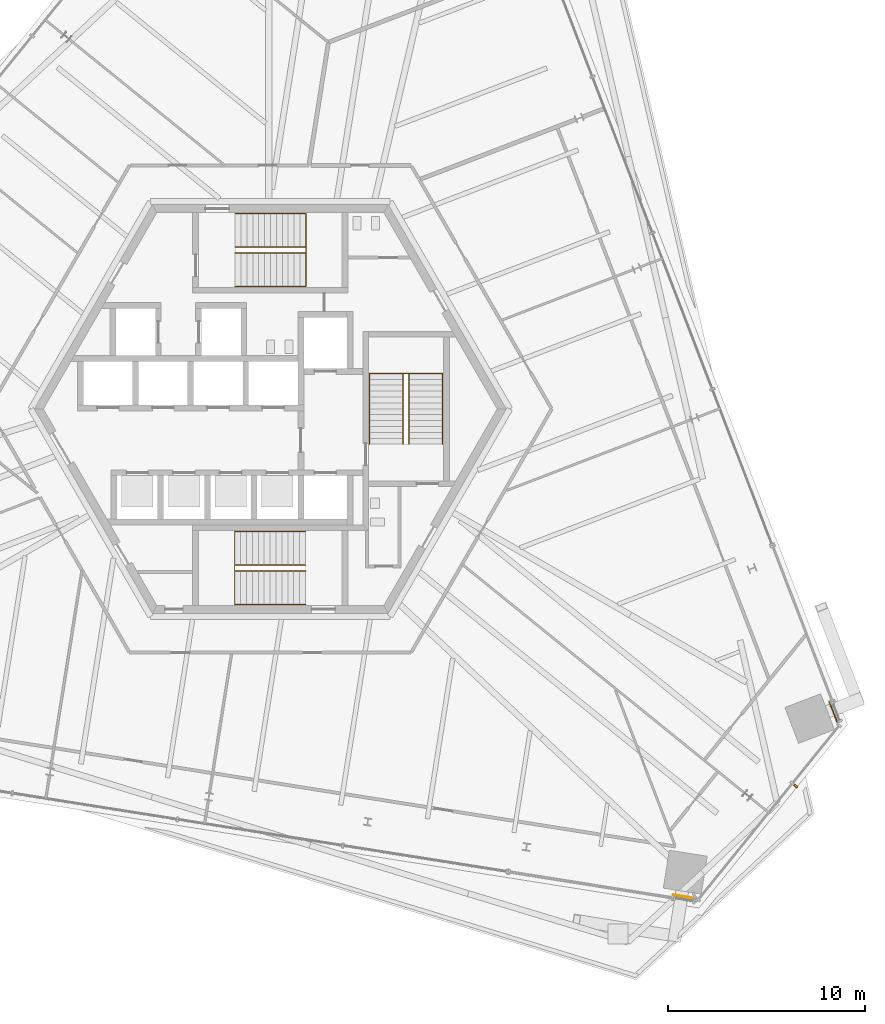
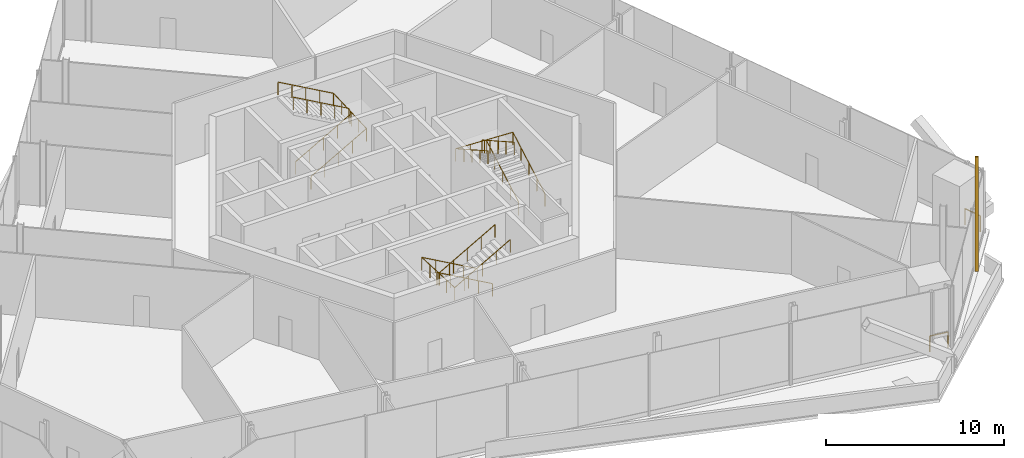
# One storey, part 19 of 22: 8 railings, 1 shading device.
"""IFC4 building model written with IfcOpenShell, lengths in metres."""

from ifc_helpers import new_model, si_unit, direction, frame, origin, origin_2d, place, context, subcontext, project, spatial, rectangle, circle, extrude, source, transform, mapped, material, type_object, element, save


model = new_model("IFC4")

# Units and contexts
model_context = context("Model", 3, precision=1e-05, world=origin(), true_north=direction((0.0, 1.0)))
body_context = subcontext(model_context, "Body", "Model", "MODEL_VIEW")
ifc_project = project(units=[si_unit("LENGTHUNIT", "METRE"), si_unit("AREAUNIT", "SQUARE_METRE"), si_unit("VOLUMEUNIT", "CUBIC_METRE"), si_unit("PLANEANGLEUNIT", "RADIAN"), si_unit("MASSUNIT", "GRAM", prefix="KILO")], contexts=[model_context])

# Site, building, storey
site_placement = place(None, origin())
site = spatial("IfcSite", under=ifc_project, at=site_placement, CompositionType="ELEMENT")
building_placement = place(site_placement, origin())
building = spatial("IfcBuilding", under=site, at=building_placement, Name="Triune Harvest Tower", CompositionType="ELEMENT")
storey_placement = place(building_placement, frame((0.0, 0.0, 138.10009765625)))
storey = spatial("IfcBuildingStorey", under=building, at=storey_placement, Name="L35", CompositionType="ELEMENT", Elevation=138.10009765625)

# Railings
ifc_material_1 = material(Name="Glass", Category="glass")
railing_type_1 = type_object("IfcRailingType", Name="GD-3 facade guard 1100", PredefinedType="GUARDRAIL", material=ifc_material_1)
railing_1_placement = place(storey_placement, frame((28.8212890625, -15.920654296875, 0.0)))
element("IfcRailing", 1, at=railing_1_placement, inside=storey, type_object=railing_type_1, Name="Facade guard B4-F1 L35.1.1", PredefinedType="GUARDRAIL", context=body_context, shape_type="SweptSolid", body=[
    extrude(circle(Radius=0.02392578125, at=origin_2d()), frame((0.0, 0.0, 1.076171875), z_axis=(-0.358113888027, 0.933677911917, 0.0), x_axis=(-0.933677911917, -0.358113888027, 0.0)), (0.0, 0.0, 1.0), 1.096923828125),
    extrude(circle(Radius=0.02099609375, at=origin_2d()), origin(), (0.0, 0.0, 1.0), 1.052001953125),
    extrude(circle(Radius=0.02099609375, at=origin_2d()), frame((-0.392822265625, 1.024169921875, 0.0)), (0.0, 0.0, 1.0), 1.052001953125),
])
railing_2_placement = place(storey_placement, frame((20.481689453125, -24.7099609375, 0.0)))
element("IfcRailing", 2, at=railing_2_placement, inside=storey, type_object=railing_type_1, Name="Facade guard B4-F5 L35.1.2", PredefinedType="GUARDRAIL", context=body_context, shape_type="SweptSolid", body=[
    extrude(circle(Radius=0.02392578125, at=origin_2d()), frame((0.0, 0.0, 1.076171875), z_axis=(0.987679801287, -0.156488370589, 0.0), x_axis=(0.156488370589, 0.987679801287, 0.0)), (0.0, 0.0, 1.0), 1.0966796875),
    extrude(circle(Radius=0.02099609375, at=origin_2d()), origin(), (0.0, 0.0, 1.0), 1.052001953125),
    extrude(circle(Radius=0.02099609375, at=origin_2d()), frame((1.083251953125, -0.171630859375, 0.0)), (0.0, 0.0, 1.0), 1.052001953125),
])
ifc_material_2 = material(Name="Stainless steel AISI 316", Category="steel")
railing_type_2 = type_object("IfcRailingType", Name="Stair handrail", PredefinedType="HANDRAIL", material=ifc_material_2)
railing_3_placement = place(storey_placement, frame((-1.7900390625, 6.239990234375, 0.169189453125)))
element("IfcRailing", 3, at=railing_3_placement, inside=storey, type_object=railing_type_2, Name="Exit stair north wall handrail", PredefinedType="HANDRAIL", context=body_context, shape_type="SweptSolid", body=[
    extrude(circle(Radius=0.02392578125, at=origin_2d()), frame((0.0, 0.0, 0.8759765625), z_axis=(0.870984948707, 0.0, 0.491309697772), x_axis=(0.0, 1.0, 0.0)), (0.0, 0.0, 1.0), 4.13330078125),
    extrude(circle(Radius=0.02392578125, at=origin_2d()), frame((3.60009765625, 0.0, 2.90673828125), z_axis=(0.0, 0.998956135422, 0.04567974938), x_axis=(-1.0, 0.0, 0.0)), (0.0, 0.0, 1.0), 3.703857421875),
    extrude(circle(Radius=0.02392578125, at=origin_2d()), frame((3.60009765625, 3.699951171875, 3.07568359375), z_axis=(-0.870984948707, 0.0, 0.491309697772), x_axis=(0.0, -1.0, 0.0)), (0.0, 0.0, 1.0), 4.13330078125),
    extrude(circle(Radius=0.02099609375, at=origin_2d()), origin(), (0.0, 0.0, 1.0), 0.851806640625),
    extrude(circle(Radius=0.02099609375, at=origin_2d()), frame((0.89990234375, 0.0, 0.5078125)), (0.0, 0.0, 1.0), 0.851806640625),
    extrude(circle(Radius=0.02099609375, at=origin_2d()), frame((1.800048828125, 0.0, 1.015380859375)), (0.0, 0.0, 1.0), 0.851806640625),
    extrude(circle(Radius=0.02099609375, at=origin_2d()), frame((2.7001953125, 0.0, 1.52294921875)), (0.0, 0.0, 1.0), 0.851806640625),
    extrude(circle(Radius=0.02099609375, at=origin_2d()), frame((3.60009765625, 0.0, 2.03076171875)), (0.0, 0.0, 1.0), 0.851806640625),
    extrude(circle(Radius=0.02099609375, at=origin_2d()), frame((3.60009765625, 0.925048828125, 2.072998046875)), (0.0, 0.0, 1.0), 0.851806640625),
    extrude(circle(Radius=0.02099609375, at=origin_2d()), frame((3.60009765625, 1.85009765625, 2.115234375)), (0.0, 0.0, 1.0), 0.851806640625),
    extrude(circle(Radius=0.02099609375, at=origin_2d()), frame((3.60009765625, 2.77490234375, 2.15771484375)), (0.0, 0.0, 1.0), 0.851806640625),
    extrude(circle(Radius=0.02099609375, at=origin_2d()), frame((3.60009765625, 3.699951171875, 2.199951171875)), (0.0, 0.0, 1.0), 0.851806640625),
    extrude(circle(Radius=0.02099609375, at=origin_2d()), frame((2.7001953125, 3.699951171875, 2.70751953125)), (0.0, 0.0, 1.0), 0.851806640625),
    extrude(circle(Radius=0.02099609375, at=origin_2d()), frame((1.800048828125, 3.699951171875, 3.21533203125)), (0.0, 0.0, 1.0), 0.851806640625),
    extrude(circle(Radius=0.02099609375, at=origin_2d()), frame((0.89990234375, 3.699951171875, 3.72314453125)), (0.0, 0.0, 1.0), 0.851806640625),
    extrude(circle(Radius=0.02099609375, at=origin_2d()), frame((0.0, 3.699951171875, 4.230712890625)), (0.0, 0.0, 1.0), 0.851806640625),
])
railing_4_placement = place(storey_placement, frame((-1.7900390625, 7.93994140625, 0.169189453125)))
element("IfcRailing", 4, at=railing_4_placement, inside=storey, type_object=railing_type_2, Name="Exit stair north centre handrail", PredefinedType="HANDRAIL", context=body_context, shape_type="SweptSolid", body=[
    extrude(circle(Radius=0.02392578125, at=origin_2d()), frame((0.0, 0.0, 0.8759765625), z_axis=(0.870984948707, 0.0, 0.491309697772), x_axis=(0.0, 1.0, 0.0)), (0.0, 0.0, 1.0), 4.13330078125),
    extrude(circle(Radius=0.02392578125, at=origin_2d()), frame((3.60009765625, 0.0, 2.90673828125), z_axis=(0.0, 0.871064000435, 0.491169529944), x_axis=(-1.0, 0.0, 0.0)), (0.0, 0.0, 1.0), 0.344482421875),
    extrude(circle(Radius=0.02392578125, at=origin_2d()), frame((3.60009765625, 0.300048828125, 3.07568359375), z_axis=(-0.870984948707, 0.0, 0.491309697772), x_axis=(0.0, -1.0, 0.0)), (0.0, 0.0, 1.0), 4.13330078125),
    extrude(circle(Radius=0.02099609375, at=origin_2d()), origin(), (0.0, 0.0, 1.0), 0.851806640625),
    extrude(circle(Radius=0.02099609375, at=origin_2d()), frame((0.89990234375, 0.0, 0.5078125)), (0.0, 0.0, 1.0), 0.851806640625),
    extrude(circle(Radius=0.02099609375, at=origin_2d()), frame((1.800048828125, 0.0, 1.015380859375)), (0.0, 0.0, 1.0), 0.851806640625),
    extrude(circle(Radius=0.02099609375, at=origin_2d()), frame((2.7001953125, 0.0, 1.52294921875)), (0.0, 0.0, 1.0), 0.851806640625),
    extrude(circle(Radius=0.02099609375, at=origin_2d()), frame((3.60009765625, 0.0, 2.03076171875)), (0.0, 0.0, 1.0), 0.851806640625),
    extrude(circle(Radius=0.02099609375, at=origin_2d()), frame((3.60009765625, 0.300048828125, 2.199951171875)), (0.0, 0.0, 1.0), 0.851806640625),
    extrude(circle(Radius=0.02099609375, at=origin_2d()), frame((2.7001953125, 0.300048828125, 2.70751953125)), (0.0, 0.0, 1.0), 0.851806640625),
    extrude(circle(Radius=0.02099609375, at=origin_2d()), frame((1.800048828125, 0.300048828125, 3.21533203125)), (0.0, 0.0, 1.0), 0.851806640625),
    extrude(circle(Radius=0.02099609375, at=origin_2d()), frame((0.89990234375, 0.300048828125, 3.72314453125)), (0.0, 0.0, 1.0), 0.851806640625),
    extrude(circle(Radius=0.02099609375, at=origin_2d()), frame((0.0, 0.300048828125, 4.230712890625)), (0.0, 0.0, 1.0), 0.851806640625),
])
railing_5_placement = place(storey_placement, frame((1.7900390625, -6.239990234375, 0.169189453125)))
element("IfcRailing", 5, at=railing_5_placement, inside=storey, type_object=railing_type_2, Name="Exit stair south wall handrail", PredefinedType="HANDRAIL", context=body_context, shape_type="SweptSolid", body=[
    extrude(circle(Radius=0.02392578125, at=origin_2d()), frame((0.0, 0.0, 0.8759765625), z_axis=(-0.870984948707, 0.0, 0.491309697772), x_axis=(0.0, -1.0, 0.0)), (0.0, 0.0, 1.0), 4.13330078125),
    extrude(circle(Radius=0.02392578125, at=origin_2d()), frame((-3.60009765625, 0.0, 2.90673828125), z_axis=(0.0, -0.998956135422, 0.04567974938), x_axis=(1.0, 0.0, 0.0)), (0.0, 0.0, 1.0), 3.703857421875),
    extrude(circle(Radius=0.02392578125, at=origin_2d()), frame((-3.60009765625, -3.699951171875, 3.07568359375), z_axis=(0.870984948707, 0.0, 0.491309697772), x_axis=(0.0, 1.0, 0.0)), (0.0, 0.0, 1.0), 4.13330078125),
    extrude(circle(Radius=0.02099609375, at=origin_2d()), origin(), (0.0, 0.0, 1.0), 0.851806640625),
    extrude(circle(Radius=0.02099609375, at=origin_2d()), frame((-0.89990234375, 0.0, 0.5078125)), (0.0, 0.0, 1.0), 0.851806640625),
    extrude(circle(Radius=0.02099609375, at=origin_2d()), frame((-1.800048828125, 0.0, 1.015380859375)), (0.0, 0.0, 1.0), 0.851806640625),
    extrude(circle(Radius=0.02099609375, at=origin_2d()), frame((-2.7001953125, 0.0, 1.52294921875)), (0.0, 0.0, 1.0), 0.851806640625),
    extrude(circle(Radius=0.02099609375, at=origin_2d()), frame((-3.60009765625, 0.0, 2.03076171875)), (0.0, 0.0, 1.0), 0.851806640625),
    extrude(circle(Radius=0.02099609375, at=origin_2d()), frame((-3.60009765625, -0.925048828125, 2.072998046875)), (0.0, 0.0, 1.0), 0.851806640625),
    extrude(circle(Radius=0.02099609375, at=origin_2d()), frame((-3.60009765625, -1.85009765625, 2.115234375)), (0.0, 0.0, 1.0), 0.851806640625),
    extrude(circle(Radius=0.02099609375, at=origin_2d()), frame((-3.60009765625, -2.77490234375, 2.15771484375)), (0.0, 0.0, 1.0), 0.851806640625),
    extrude(circle(Radius=0.02099609375, at=origin_2d()), frame((-3.60009765625, -3.699951171875, 2.199951171875)), (0.0, 0.0, 1.0), 0.851806640625),
    extrude(circle(Radius=0.02099609375, at=origin_2d()), frame((-2.7001953125, -3.699951171875, 2.70751953125)), (0.0, 0.0, 1.0), 0.851806640625),
    extrude(circle(Radius=0.02099609375, at=origin_2d()), frame((-1.800048828125, -3.699951171875, 3.21533203125)), (0.0, 0.0, 1.0), 0.851806640625),
    extrude(circle(Radius=0.02099609375, at=origin_2d()), frame((-0.89990234375, -3.699951171875, 3.72314453125)), (0.0, 0.0, 1.0), 0.851806640625),
    extrude(circle(Radius=0.02099609375, at=origin_2d()), frame((0.0, -3.699951171875, 4.230712890625)), (0.0, 0.0, 1.0), 0.851806640625),
])
railing_6_placement = place(storey_placement, frame((1.7900390625, -7.93994140625, 0.169189453125)))
element("IfcRailing", 6, at=railing_6_placement, inside=storey, type_object=railing_type_2, Name="Exit stair south centre handrail", PredefinedType="HANDRAIL", context=body_context, shape_type="SweptSolid", body=[
    extrude(circle(Radius=0.02392578125, at=origin_2d()), frame((0.0, 0.0, 0.8759765625), z_axis=(-0.870984948707, 0.0, 0.491309697772), x_axis=(0.0, -1.0, 0.0)), (0.0, 0.0, 1.0), 4.13330078125),
    extrude(circle(Radius=0.02392578125, at=origin_2d()), frame((-3.60009765625, 0.0, 2.90673828125), z_axis=(0.0, -0.871064000435, 0.491169529944), x_axis=(1.0, 0.0, 0.0)), (0.0, 0.0, 1.0), 0.344482421875),
    extrude(circle(Radius=0.02392578125, at=origin_2d()), frame((-3.60009765625, -0.300048828125, 3.07568359375), z_axis=(0.870984948707, 0.0, 0.491309697772), x_axis=(0.0, 1.0, 0.0)), (0.0, 0.0, 1.0), 4.13330078125),
    extrude(circle(Radius=0.02099609375, at=origin_2d()), origin(), (0.0, 0.0, 1.0), 0.851806640625),
    extrude(circle(Radius=0.02099609375, at=origin_2d()), frame((-0.89990234375, 0.0, 0.5078125)), (0.0, 0.0, 1.0), 0.851806640625),
    extrude(circle(Radius=0.02099609375, at=origin_2d()), frame((-1.800048828125, 0.0, 1.015380859375)), (0.0, 0.0, 1.0), 0.851806640625),
    extrude(circle(Radius=0.02099609375, at=origin_2d()), frame((-2.7001953125, 0.0, 1.52294921875)), (0.0, 0.0, 1.0), 0.851806640625),
    extrude(circle(Radius=0.02099609375, at=origin_2d()), frame((-3.60009765625, 0.0, 2.03076171875)), (0.0, 0.0, 1.0), 0.851806640625),
    extrude(circle(Radius=0.02099609375, at=origin_2d()), frame((-3.60009765625, -0.300048828125, 2.199951171875)), (0.0, 0.0, 1.0), 0.851806640625),
    extrude(circle(Radius=0.02099609375, at=origin_2d()), frame((-2.7001953125, -0.300048828125, 2.70751953125)), (0.0, 0.0, 1.0), 0.851806640625),
    extrude(circle(Radius=0.02099609375, at=origin_2d()), frame((-1.800048828125, -0.300048828125, 3.21533203125)), (0.0, 0.0, 1.0), 0.851806640625),
    extrude(circle(Radius=0.02099609375, at=origin_2d()), frame((-0.89990234375, -0.300048828125, 3.72314453125)), (0.0, 0.0, 1.0), 0.851806640625),
    extrude(circle(Radius=0.02099609375, at=origin_2d()), frame((0.0, -0.300048828125, 4.230712890625)), (0.0, 0.0, 1.0), 0.851806640625),
])
railing_7_placement = place(storey_placement, frame((8.75, -1.7900390625, 0.169189453125)))
element("IfcRailing", 7, at=railing_7_placement, inside=storey, type_object=railing_type_2, Name="Exit stair east wall handrail", PredefinedType="HANDRAIL", context=body_context, shape_type="SweptSolid", body=[
    extrude(circle(Radius=0.02392578125, at=origin_2d()), frame((0.0, 0.0, 0.8759765625), z_axis=(0.0, 0.870984948707, 0.491309697772), x_axis=(-1.0, 0.0, 0.0)), (0.0, 0.0, 1.0), 4.13330078125),
    extrude(circle(Radius=0.02392578125, at=origin_2d()), frame((0.0, 3.60009765625, 2.90673828125), z_axis=(-0.998956135422, 0.0, 0.04567974938), x_axis=(0.0, -1.0, 0.0)), (0.0, 0.0, 1.0), 3.703857421875),
    extrude(circle(Radius=0.02392578125, at=origin_2d()), frame((-3.699951171875, 3.60009765625, 3.07568359375), z_axis=(0.0, -0.870984948707, 0.491309697772), x_axis=(1.0, 0.0, 0.0)), (0.0, 0.0, 1.0), 4.13330078125),
    extrude(circle(Radius=0.02099609375, at=origin_2d()), origin(), (0.0, 0.0, 1.0), 0.851806640625),
    extrude(circle(Radius=0.02099609375, at=origin_2d()), frame((0.0, 0.89990234375, 0.5078125)), (0.0, 0.0, 1.0), 0.851806640625),
    extrude(circle(Radius=0.02099609375, at=origin_2d()), frame((0.0, 1.800048828125, 1.015380859375)), (0.0, 0.0, 1.0), 0.851806640625),
    extrude(circle(Radius=0.02099609375, at=origin_2d()), frame((0.0, 2.7001953125, 1.52294921875)), (0.0, 0.0, 1.0), 0.851806640625),
    extrude(circle(Radius=0.02099609375, at=origin_2d()), frame((0.0, 3.60009765625, 2.03076171875)), (0.0, 0.0, 1.0), 0.851806640625),
    extrude(circle(Radius=0.02099609375, at=origin_2d()), frame((-0.925048828125, 3.60009765625, 2.072998046875)), (0.0, 0.0, 1.0), 0.851806640625),
    extrude(circle(Radius=0.02099609375, at=origin_2d()), frame((-1.85009765625, 3.60009765625, 2.115234375)), (0.0, 0.0, 1.0), 0.851806640625),
    extrude(circle(Radius=0.02099609375, at=origin_2d()), frame((-2.77490234375, 3.60009765625, 2.15771484375)), (0.0, 0.0, 1.0), 0.851806640625),
    extrude(circle(Radius=0.02099609375, at=origin_2d()), frame((-3.699951171875, 3.60009765625, 2.199951171875)), (0.0, 0.0, 1.0), 0.851806640625),
    extrude(circle(Radius=0.02099609375, at=origin_2d()), frame((-3.699951171875, 2.7001953125, 2.70751953125)), (0.0, 0.0, 1.0), 0.851806640625),
    extrude(circle(Radius=0.02099609375, at=origin_2d()), frame((-3.699951171875, 1.800048828125, 3.21533203125)), (0.0, 0.0, 1.0), 0.851806640625),
    extrude(circle(Radius=0.02099609375, at=origin_2d()), frame((-3.699951171875, 0.89990234375, 3.72314453125)), (0.0, 0.0, 1.0), 0.851806640625),
    extrude(circle(Radius=0.02099609375, at=origin_2d()), frame((-3.699951171875, 0.0, 4.230712890625)), (0.0, 0.0, 1.0), 0.851806640625),
])
railing_8_placement = place(storey_placement, frame((7.050048828125, -1.7900390625, 0.169189453125)))
element("IfcRailing", 8, at=railing_8_placement, inside=storey, type_object=railing_type_2, Name="Exit stair east centre handrail", PredefinedType="HANDRAIL", context=body_context, shape_type="SweptSolid", body=[
    extrude(circle(Radius=0.02392578125, at=origin_2d()), frame((0.0, 0.0, 0.8759765625), z_axis=(0.0, 0.870984948707, 0.491309697772), x_axis=(-1.0, 0.0, 0.0)), (0.0, 0.0, 1.0), 4.13330078125),
    extrude(circle(Radius=0.02392578125, at=origin_2d()), frame((0.0, 3.60009765625, 2.90673828125), z_axis=(-0.871064000435, 0.0, 0.491169529944), x_axis=(0.0, -1.0, 0.0)), (0.0, 0.0, 1.0), 0.344482421875),
    extrude(circle(Radius=0.02392578125, at=origin_2d()), frame((-0.300048828125, 3.60009765625, 3.07568359375), z_axis=(0.0, -0.870984948707, 0.491309697772), x_axis=(1.0, 0.0, 0.0)), (0.0, 0.0, 1.0), 4.13330078125),
    extrude(circle(Radius=0.02099609375, at=origin_2d()), origin(), (0.0, 0.0, 1.0), 0.851806640625),
    extrude(circle(Radius=0.02099609375, at=origin_2d()), frame((0.0, 0.89990234375, 0.5078125)), (0.0, 0.0, 1.0), 0.851806640625),
    extrude(circle(Radius=0.02099609375, at=origin_2d()), frame((0.0, 1.800048828125, 1.015380859375)), (0.0, 0.0, 1.0), 0.851806640625),
    extrude(circle(Radius=0.02099609375, at=origin_2d()), frame((0.0, 2.7001953125, 1.52294921875)), (0.0, 0.0, 1.0), 0.851806640625),
    extrude(circle(Radius=0.02099609375, at=origin_2d()), frame((0.0, 3.60009765625, 2.03076171875)), (0.0, 0.0, 1.0), 0.851806640625),
    extrude(circle(Radius=0.02099609375, at=origin_2d()), frame((-0.300048828125, 3.60009765625, 2.199951171875)), (0.0, 0.0, 1.0), 0.851806640625),
    extrude(circle(Radius=0.02099609375, at=origin_2d()), frame((-0.300048828125, 2.7001953125, 2.70751953125)), (0.0, 0.0, 1.0), 0.851806640625),
    extrude(circle(Radius=0.02099609375, at=origin_2d()), frame((-0.300048828125, 1.800048828125, 3.21533203125)), (0.0, 0.0, 1.0), 0.851806640625),
    extrude(circle(Radius=0.02099609375, at=origin_2d()), frame((-0.300048828125, 0.89990234375, 3.72314453125)), (0.0, 0.0, 1.0), 0.851806640625),
    extrude(circle(Radius=0.02099609375, at=origin_2d()), frame((-0.300048828125, 0.0, 4.230712890625)), (0.0, 0.0, 1.0), 0.851806640625),
])

# Shading device
ifc_material_3 = material(Name="Aluminium bronze anodised", Category="aluminium")
shared_shape = source(origin(), body_context, "Body", "SweptSolid", [
    extrude(rectangle(XDim=0.10009765625, YDim=0.199951171875, at=origin_2d()), origin(), (0.0, 0.0, 1.0), 7.840087890625),
])
shading_device_placement = place(storey_placement, frame((26.72021484375, -19.177001953125, 0.0), z_axis=(0.0, 0.0, 1.0), x_axis=(0.629320905414, 0.777145544932, 0.0)))
element("IfcShadingDevice", 9, at=shading_device_placement, inside=storey, material=ifc_material_3, Name="FN-1 fin B4-F6.3 L35", ObjectType="FIN", PredefinedType="USERDEFINED", context=body_context, shape_type="MappedRepresentation", body=[
    mapped(shared_shape, transform((0.0, 0.0, 0.0), scale=1.0)),
])

save(model, "model.ifc")
